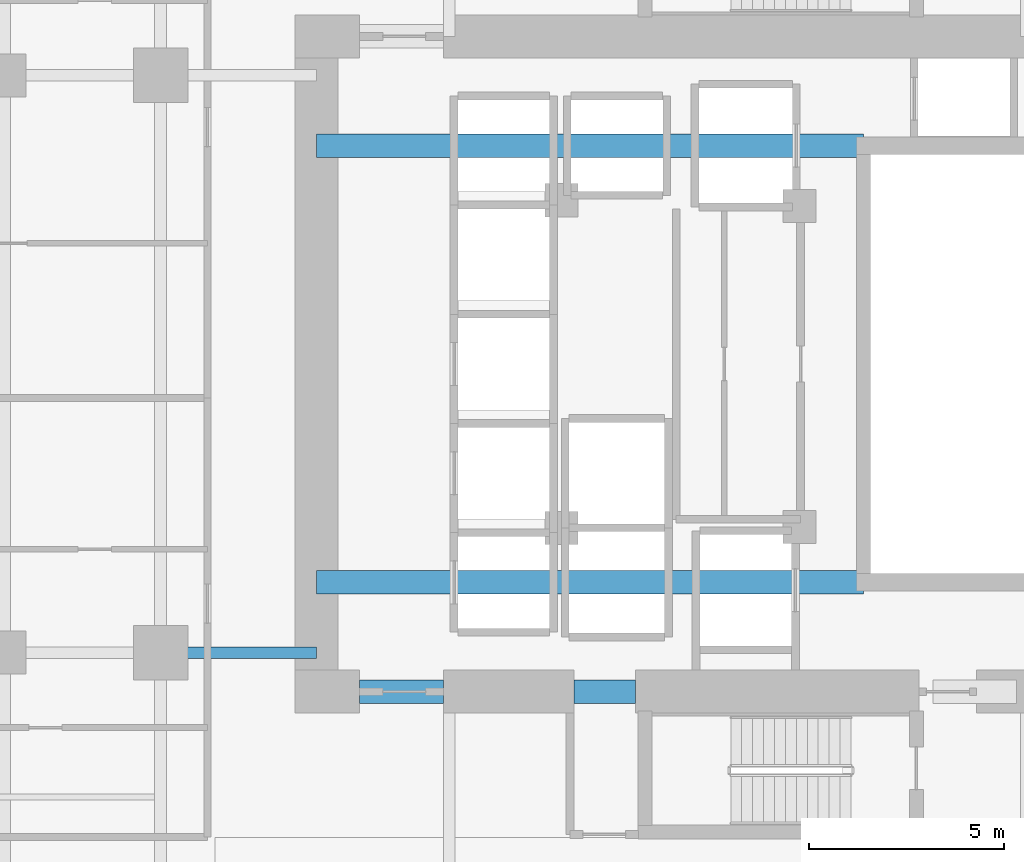
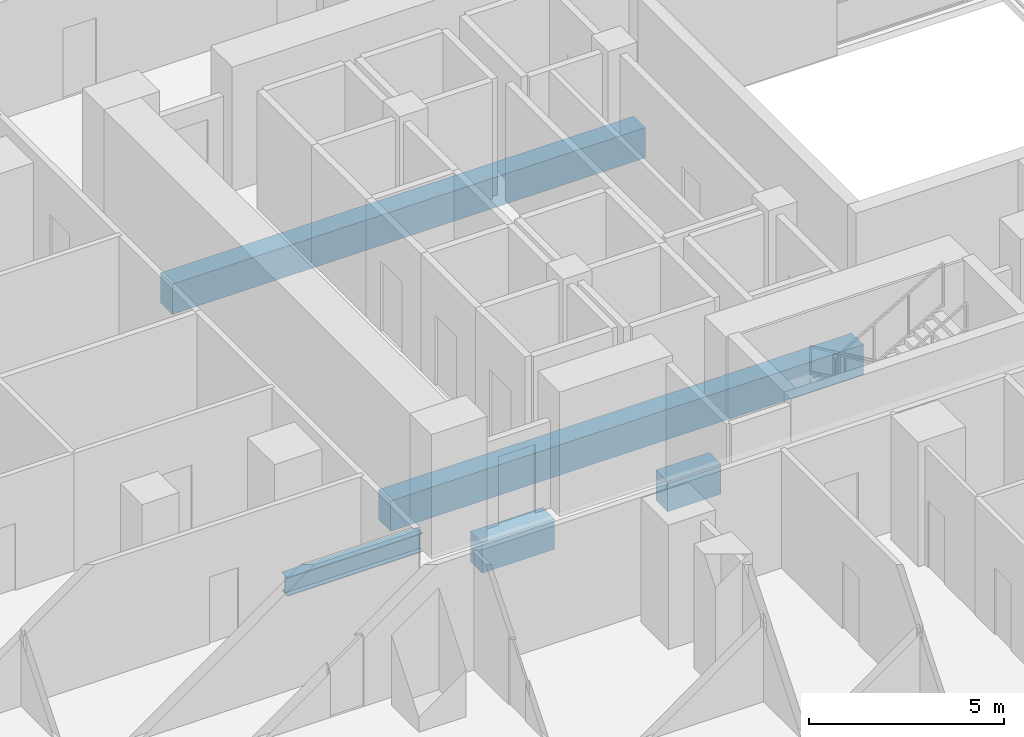
# One storey, part 7 of 33: 5 beams.
"""IFC4 building model written with IfcOpenShell, lengths in metres."""

from ifc_helpers import new_model, si_unit, direction, frame, origin, origin_2d, place, context, subcontext, project, spatial, rectangle, i_section, extrude, material, material_profile, profile_set, type_object, element, save


model = new_model("IFC4")

# Units and contexts
model_context = context("Model", 3, precision=1e-05, world=origin(), true_north=direction((0.0, 1.0)))
body_context = subcontext(model_context, "Body", "Model", "MODEL_VIEW")
ifc_project = project(units=[si_unit("LENGTHUNIT", "METRE"), si_unit("AREAUNIT", "SQUARE_METRE"), si_unit("VOLUMEUNIT", "CUBIC_METRE"), si_unit("PLANEANGLEUNIT", "RADIAN"), si_unit("MASSUNIT", "GRAM", prefix="KILO")], contexts=[model_context])

# Site, building, storey
site_placement = place(None, origin())
site = spatial("IfcSite", under=ifc_project, at=site_placement, CompositionType="ELEMENT")
building_placement = place(site_placement, origin())
building = spatial("IfcBuilding", under=site, at=building_placement, Name="Khorvyn Point Tower", CompositionType="ELEMENT")
storey_placement = place(building_placement, frame((0.0, 0.0, 65.699951171875)))
storey = spatial("IfcBuildingStorey", under=building, at=storey_placement, Name="L17", CompositionType="ELEMENT", Elevation=65.699951171875)

# Beams
ifc_material_1 = material(Name="Concrete C50/60", Category="concrete")
ifc_material_profile_1 = material_profile(ifc_material_1, rectangle(XDim=0.60009765625, YDim=0.949951171875, at=origin_2d()))
ifc_profile_set_1 = profile_set([ifc_material_profile_1], Name="Concrete C50/60 RC600x950")
beam_type_1 = type_object("IfcBeamType", Name="Concrete C50/60 Beam RC600x950", PredefinedType="BEAM", material=ifc_profile_set_1)
for number, where, z_axis, x_axis, name in (
    (1, (-10.800048828125, -5.60009765625, -0.695068359375), (1.0, 0.0, 0.0), (0.0, 1.0, 0.0), "L17 Core Internal Tie Girder S"),
    (2, (-10.800048828125, 5.60009765625, -0.695068359375), (1.0, 0.0, 0.0), (0.0, 1.0, 0.0), "L17 Core Internal Tie Girder N"),
):
    element("IfcBeam", number, at=place(storey_placement, frame(where, z_axis=z_axis, x_axis=x_axis)), inside=storey, type_object=beam_type_1, Name=name, PredefinedType="BEAM", context=body_context, shape_type="SweptSolid", body=[
        extrude(rectangle(XDim=0.60009765625, YDim=0.949951171875, at=origin_2d()), origin(), (0.0, 0.0, 1.0), 14.02001953125),
    ])
beam_1_placement = place(storey_placement, frame((-9.699951171875, -8.39990234375, -0.695068359375), z_axis=(1.0, 0.0, 0.0), x_axis=(0.0, 1.0, 0.0)))
element("IfcBeam", 3, at=beam_1_placement, inside=storey, type_object=beam_type_1, Name="L17 Core Southwest Portal Coupling Beam", PredefinedType="BEAM", context=body_context, shape_type="SweptSolid", body=[
    extrude(rectangle(XDim=0.60009765625, YDim=0.949951171875, at=origin_2d()), origin(), (0.0, 0.0, 1.0), 2.14990234375),
])
beam_2_placement = place(storey_placement, frame((-4.199951171875, -8.39990234375, -0.695068359375), z_axis=(1.0, 0.0, 0.0), x_axis=(0.0, 1.0, 0.0)))
element("IfcBeam", 4, at=beam_2_placement, inside=storey, type_object=beam_type_1, Name="L17 Core Shuttle Portal Coupling Beam", PredefinedType="BEAM", context=body_context, shape_type="SweptSolid", body=[
    extrude(rectangle(XDim=0.60009765625, YDim=0.949951171875, at=origin_2d()), origin(), (0.0, 0.0, 1.0), 1.579833984375),
])
ifc_material_2 = material(Name="Steel S355", Category="steel")
ifc_material_profile_2 = material_profile(ifc_material_2, i_section(OverallWidth=0.300048828125, OverallDepth=0.587890625, WebThickness=0.011962890625, FlangeThickness=0.02001953125, at=origin_2d()))
ifc_profile_set_2 = profile_set([ifc_material_profile_2], Name="Steel S355 H588x300x12x20")
beam_type_2 = type_object("IfcBeamType", Name="Steel S355 Beam H588x300x12x20", PredefinedType="BEAM", material=ifc_profile_set_2)
beam_3_placement = place(storey_placement, frame((-14.800048828125, -7.39990234375, -0.513916015625), z_axis=(1.0, 0.0, 0.0), x_axis=(0.0, 1.0, 0.0)))
element("IfcBeam", 5, at=beam_3_placement, inside=storey, type_object=beam_type_2, Name="Beam", PredefinedType="BEAM", context=body_context, shape_type="SweptSolid", body=[
    extrude(i_section(OverallWidth=0.300048828125, OverallDepth=0.587890625, WebThickness=0.011962890625, FlangeThickness=0.02001953125, at=origin_2d()), origin(), (0.0, 0.0, 1.0), 4.0),
])

save(model, "model.ifc")
